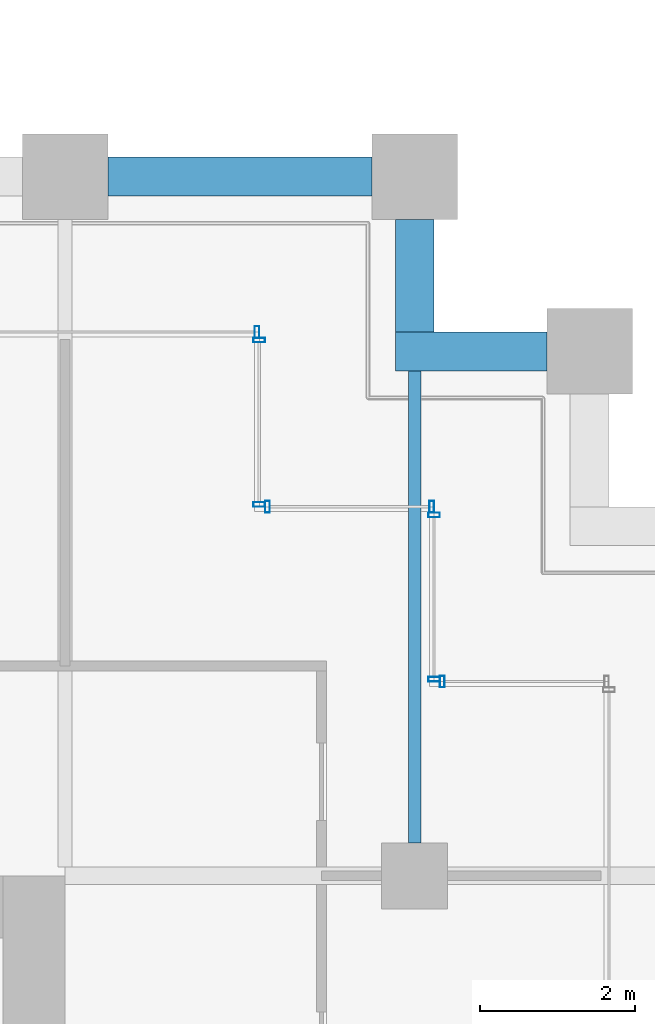
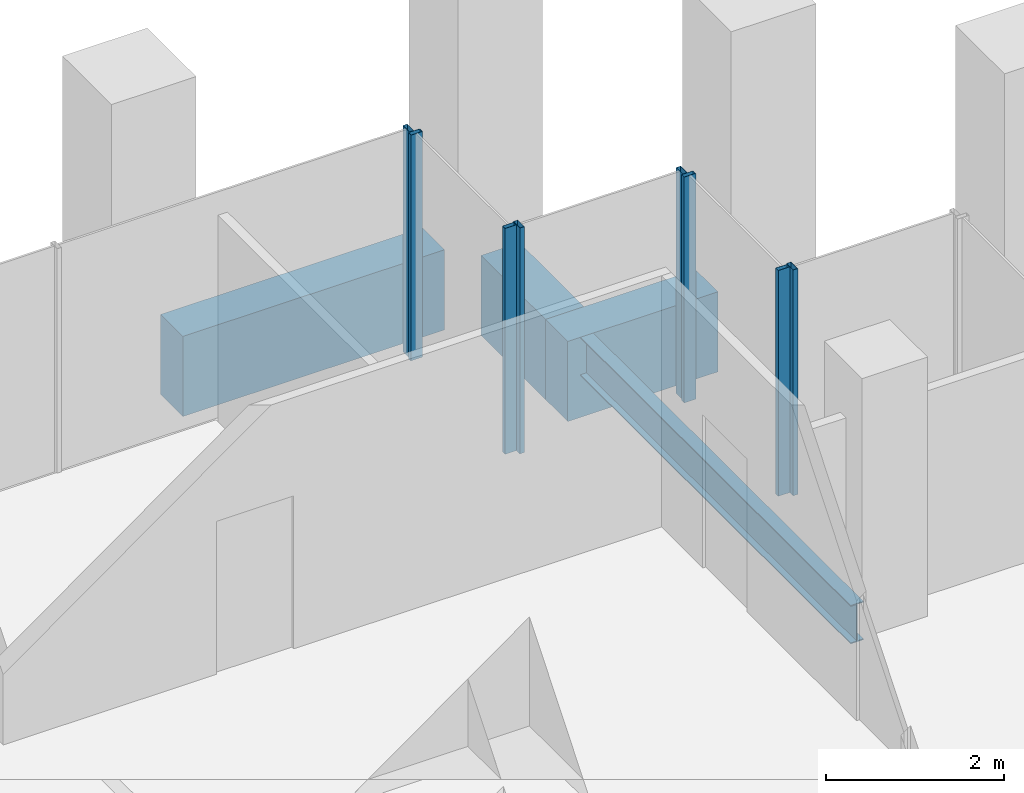
# One storey, part 45 of 56: 8 members, 4 beams, 5 elements without a shape of their own.
"""IFC4 building model written with IfcOpenShell, lengths in metres."""

from ifc_helpers import new_model, si_unit, direction, frame, origin, origin_2d, place, context, subcontext, project, spatial, rectangle, hollow_rectangle, i_section, extrude, material, material_profile, profile_set, type_object, element, aggregate, save


model = new_model("IFC4")

# Units and contexts
model_context = context("Model", 3, precision=1e-05, world=origin(), true_north=direction((0.0, 1.0)))
body_context = subcontext(model_context, "Body", "Model", "MODEL_VIEW")
ifc_project = project(units=[si_unit("LENGTHUNIT", "METRE"), si_unit("AREAUNIT", "SQUARE_METRE"), si_unit("VOLUMEUNIT", "CUBIC_METRE"), si_unit("PLANEANGLEUNIT", "RADIAN"), si_unit("MASSUNIT", "GRAM", prefix="KILO")], contexts=[model_context])

# Site, building, storey
site_placement = place(None, origin())
site = spatial("IfcSite", under=ifc_project, at=site_placement, CompositionType="ELEMENT")
building_placement = place(site_placement, origin())
building = spatial("IfcBuilding", under=site, at=building_placement, Name="Altepetl Exchange Towers", CompositionType="ELEMENT")
storey_placement = place(building_placement, frame((0.0, 0.0, 51.0)))
storey = spatial("IfcBuildingStorey", under=building, at=storey_placement, Name="L11", CompositionType="ELEMENT", Elevation=51.0)

# Beam
ifc_material_1 = material(Name="Steel S355", Category="steel")
ifc_material_profile_1 = material_profile(ifc_material_1, i_section(OverallWidth=0.166015625, OverallDepth=0.529052734375, WebThickness=0.009765625, FlangeThickness=0.013671875, at=origin_2d()), Name="W21X50")
ifc_profile_set_1 = profile_set([ifc_material_profile_1], Name="Steel S355")
beam_type_1 = type_object("IfcBeamType", Name="Floor beam W21X50", PredefinedType="BEAM", material=ifc_profile_set_1)
beam_1_placement = place(storey_placement, frame((121.5, 49.925048828125, -0.41455078125), z_axis=(0.0, 1.0, 0.0), x_axis=(-1.0, 0.0, 0.0)))
element("IfcBeam", 1, at=beam_1_placement, inside=storey, type_object=beam_type_1, Name="bm:B:L11:003", PredefinedType="BEAM", context=body_context, shape_type="SweptSolid", body=[
    extrude(i_section(OverallWidth=0.166015625, OverallDepth=0.529052734375, WebThickness=0.009765625, FlangeThickness=0.013671875, at=origin_2d()), origin(), (0.0, 0.0, 1.0), 6.074951171875),
])

# Curtain wall, member
ifc_material_2 = material(Name="Aluminium 6063-T6 glazing", Category="aluminium")
curtain_wall_type = type_object("IfcCurtainWallType", Name="Loggia glazing system", PredefinedType="NOTDEFINED", material=ifc_material_2)
curtain_wall_1_placement = place(storey_placement, origin())
curtain_wall_1 = element("IfcCurtainWall", 2, at=curtain_wall_1_placement, inside=storey, type_object=curtain_wall_type, Name="CW1 run", PredefinedType="NOTDEFINED")
ifc_material_3 = material(Name="Aluminium 6063-T6", Category="aluminium")
ifc_material_profile_2 = material_profile(ifc_material_3, hollow_rectangle(XDim=0.06005859375, YDim=0.14990234375, WallThickness=0.0029296875, at=origin_2d()), Name="Mullion 60x150 aluminium")
ifc_profile_set_2 = profile_set([ifc_material_profile_2], Name="Aluminium 6063-T6")
member_type = type_object("IfcMemberType", Name="Mullion 60x150 aluminium", PredefinedType="MULLION", material=ifc_profile_set_2)
member_1_placement = place(storey_placement, frame((121.85498046875, 52.0, 0.0), z_axis=(0.0, 0.0, 1.0), x_axis=(-1.0, 0.0, 0.0)))
member_1 = element("IfcMember", 3, at=member_1_placement, type_object=member_type, Name="MU1 mullion", PredefinedType="MULLION", context=body_context, shape_type="SweptSolid", body=[
    extrude(hollow_rectangle(XDim=0.06005859375, YDim=0.14990234375, WallThickness=0.0029296875, at=origin_2d()), origin(), (0.0, 0.0, 1.0), 3.10009765625),
])
aggregate(curtain_wall_1, [member_1])

# Curtain wall, members
curtain_wall_2_placement = place(storey_placement, origin())
curtain_wall_2 = element("IfcCurtainWall", 4, at=curtain_wall_2_placement, inside=storey, type_object=curtain_wall_type, Name="CW1 run", PredefinedType="NOTDEFINED")
member_2_placement = place(storey_placement, frame((121.75, 52.030029296875, 0.0), z_axis=(0.0, 0.0, 1.0), x_axis=(0.0, 1.0, 0.0)))
member_2 = element("IfcMember", 5, at=member_2_placement, type_object=member_type, Name="MU1 mullion", PredefinedType="MULLION", context=body_context, shape_type="SweptSolid", body=[
    extrude(hollow_rectangle(XDim=0.06005859375, YDim=0.14990234375, WallThickness=0.0029296875, at=origin_2d()), origin(), (0.0, 0.0, 1.0), 3.10009765625),
])
member_3_placement = place(storey_placement, frame((121.75, 54.14501953125, 0.0), z_axis=(0.0, 0.0, 1.0), x_axis=(0.0, 1.0, 0.0)))
member_3 = element("IfcMember", 6, at=member_3_placement, type_object=member_type, Name="MU1 mullion", PredefinedType="MULLION", context=body_context, shape_type="SweptSolid", body=[
    extrude(hollow_rectangle(XDim=0.06005859375, YDim=0.14990234375, WallThickness=0.0029296875, at=origin_2d()), origin(), (0.0, 0.0, 1.0), 3.10009765625),
])
aggregate(curtain_wall_2, [member_2, member_3])

curtain_wall_3_placement = place(storey_placement, origin())
curtain_wall_3 = element("IfcCurtainWall", 7, at=curtain_wall_3_placement, inside=storey, type_object=curtain_wall_type, Name="CW1 run", PredefinedType="NOTDEFINED")
member_4_placement = place(storey_placement, frame((121.719970703125, 54.25, 0.0), z_axis=(0.0, 0.0, 1.0), x_axis=(-1.0, 0.0, 0.0)))
member_4 = element("IfcMember", 8, at=member_4_placement, type_object=member_type, Name="MU1 mullion", PredefinedType="MULLION", context=body_context, shape_type="SweptSolid", body=[
    extrude(hollow_rectangle(XDim=0.06005859375, YDim=0.14990234375, WallThickness=0.0029296875, at=origin_2d()), origin(), (0.0, 0.0, 1.0), 3.10009765625),
])
member_5_placement = place(storey_placement, frame((119.60498046875, 54.25, 0.0), z_axis=(0.0, 0.0, 1.0), x_axis=(-1.0, 0.0, 0.0)))
member_5 = element("IfcMember", 9, at=member_5_placement, type_object=member_type, Name="MU1 mullion", PredefinedType="MULLION", context=body_context, shape_type="SweptSolid", body=[
    extrude(hollow_rectangle(XDim=0.06005859375, YDim=0.14990234375, WallThickness=0.0029296875, at=origin_2d()), origin(), (0.0, 0.0, 1.0), 3.10009765625),
])
aggregate(curtain_wall_3, [member_4, member_5])

curtain_wall_4_placement = place(storey_placement, origin())
curtain_wall_4 = element("IfcCurtainWall", 10, at=curtain_wall_4_placement, inside=storey, type_object=curtain_wall_type, Name="CW1 run", PredefinedType="NOTDEFINED")
member_6_placement = place(storey_placement, frame((119.5, 54.280029296875, 0.0), z_axis=(0.0, 0.0, 1.0), x_axis=(0.0, 1.0, 0.0)))
member_6 = element("IfcMember", 11, at=member_6_placement, type_object=member_type, Name="MU1 mullion", PredefinedType="MULLION", context=body_context, shape_type="SweptSolid", body=[
    extrude(hollow_rectangle(XDim=0.06005859375, YDim=0.14990234375, WallThickness=0.0029296875, at=origin_2d()), origin(), (0.0, 0.0, 1.0), 3.10009765625),
])
member_7_placement = place(storey_placement, frame((119.5, 56.39501953125, 0.0), z_axis=(0.0, 0.0, 1.0), x_axis=(0.0, 1.0, 0.0)))
member_7 = element("IfcMember", 12, at=member_7_placement, type_object=member_type, Name="MU1 mullion", PredefinedType="MULLION", context=body_context, shape_type="SweptSolid", body=[
    extrude(hollow_rectangle(XDim=0.06005859375, YDim=0.14990234375, WallThickness=0.0029296875, at=origin_2d()), origin(), (0.0, 0.0, 1.0), 3.10009765625),
])
aggregate(curtain_wall_4, [member_6, member_7])

# Curtain wall, member
curtain_wall_5_placement = place(storey_placement, origin())
curtain_wall_5 = element("IfcCurtainWall", 13, at=curtain_wall_5_placement, inside=storey, type_object=curtain_wall_type, Name="CW1 run", PredefinedType="NOTDEFINED")
member_8_placement = place(storey_placement, frame((119.469970703125, 56.5, 0.0), z_axis=(0.0, 0.0, 1.0), x_axis=(-1.0, 0.0, 0.0)))
member_8 = element("IfcMember", 14, at=member_8_placement, type_object=member_type, Name="MU1 mullion", PredefinedType="MULLION", context=body_context, shape_type="SweptSolid", body=[
    extrude(hollow_rectangle(XDim=0.06005859375, YDim=0.14990234375, WallThickness=0.0029296875, at=origin_2d()), origin(), (0.0, 0.0, 1.0), 3.10009765625),
])
aggregate(curtain_wall_5, [member_8])

# Beams
ifc_material_4 = material(Name="Concrete C50/60 precast with cantera amarilla facing", Category="concrete")
ifc_material_profile_3 = material_profile(ifc_material_4, rectangle(XDim=0.5, YDim=1.10009765625, at=origin_2d()), Name="500 x 1100")
ifc_profile_set_3 = profile_set([ifc_material_profile_3], Name="Concrete C50/60 precast with cantera amarilla facing")
beam_type_2 = type_object("IfcBeamType", Name="Spandrel beam 500x1100 cantera amarilla", PredefinedType="SPANDREL", material=ifc_profile_set_3)
beam_2_placement = place(storey_placement, frame((123.199951171875, 56.25, -0.699951171875), z_axis=(-1.0, 0.0, 0.0), x_axis=(0.0, -1.0, 0.0)))
element("IfcBeam", 15, at=beam_2_placement, inside=storey, type_object=beam_type_2, Name="sp:B:L11:016", PredefinedType="SPANDREL", context=body_context, shape_type="SweptSolid", body=[
    extrude(rectangle(XDim=0.5, YDim=1.10009765625, at=origin_2d()), origin(), (0.0, 0.0, 1.0), 1.949951171875),
])
beam_3_placement = place(storey_placement, frame((121.5, 56.5, -0.699951171875), z_axis=(0.0, 1.0, 0.0), x_axis=(-1.0, 0.0, 0.0)))
element("IfcBeam", 16, at=beam_3_placement, inside=storey, type_object=beam_type_2, Name="sp:B:L11:017", PredefinedType="SPANDREL", context=body_context, shape_type="SweptSolid", body=[
    extrude(rectangle(XDim=0.5, YDim=1.10009765625, at=origin_2d()), origin(), (0.0, 0.0, 1.0), 1.449951171875),
])
beam_4_placement = place(storey_placement, frame((120.949951171875, 58.5, -0.699951171875), z_axis=(-1.0, 0.0, 0.0), x_axis=(0.0, -1.0, 0.0)))
element("IfcBeam", 17, at=beam_4_placement, inside=storey, type_object=beam_type_2, Name="sp:B:L11:018", PredefinedType="SPANDREL", context=body_context, shape_type="SweptSolid", body=[
    extrude(rectangle(XDim=0.5, YDim=1.10009765625, at=origin_2d()), origin(), (0.0, 0.0, 1.0), 3.39990234375),
])

save(model, "model.ifc")
